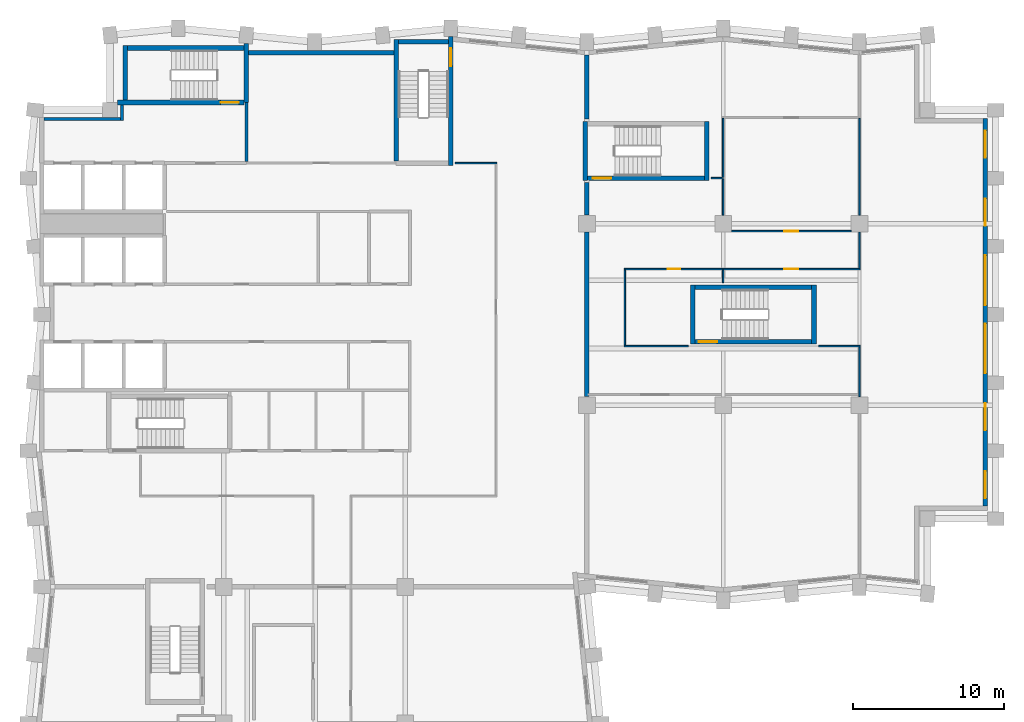
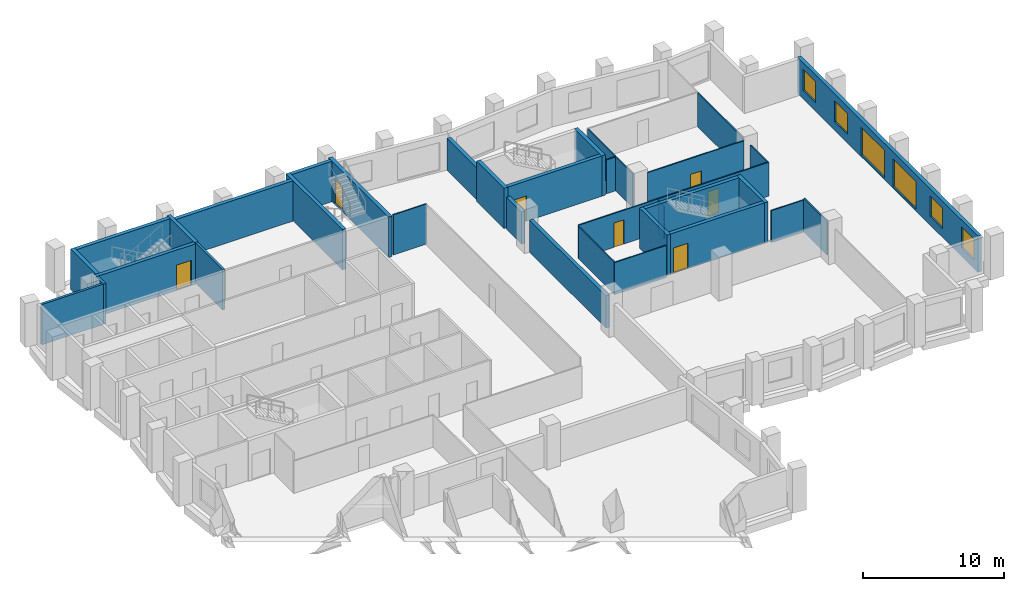
# One storey, part 6 of 10: 36 walls, 7 doors, 6 windows, 13 openings.
"""IFC4 building model written with IfcOpenShell, lengths in metres."""

from ifc_helpers import new_model, si_unit, direction, frame, frame_2d, origin, place, context, subcontext, project, spatial, rectangle, extrude, material, layer, layer_set, type_object, element, fill, save


model = new_model("IFC4")

# Units and contexts
model_context = context("Model", 3, precision=1e-05, world=origin(), true_north=direction((0.0, 1.0)))
body_context = subcontext(model_context, "Body", "Model", "MODEL_VIEW")
ifc_project = project(units=[si_unit("LENGTHUNIT", "METRE"), si_unit("AREAUNIT", "SQUARE_METRE"), si_unit("VOLUMEUNIT", "CUBIC_METRE"), si_unit("PLANEANGLEUNIT", "RADIAN"), si_unit("MASSUNIT", "GRAM", prefix="KILO")], contexts=[model_context])

# Site, building, storey
site_placement = place(None, origin())
site = spatial("IfcSite", under=ifc_project, at=site_placement, CompositionType="ELEMENT")
building_placement = place(site_placement, origin())
building = spatial("IfcBuilding", under=site, at=building_placement, Name="Brondeck Convention Tower", CompositionType="ELEMENT")
storey_placement = place(building_placement, frame((0.0, 0.0, 181.39990234375)))
storey = spatial("IfcBuildingStorey", under=building, at=storey_placement, Name="L44", CompositionType="ELEMENT", Elevation=181.39990234375)

# Walls
ifc_material_1 = material(Name="Concrete compartment wall C30/37", Category="concrete")
ifc_layer_1 = layer(ifc_material_1, 0.300048828125)
ifc_layer_set_1 = layer_set([ifc_layer_1], Name="Compartment wall 300")
wall_type_1 = type_object("IfcWallType", Name="Compartment wall 300", PredefinedType="PARTITIONING", material=ifc_layer_set_1)
wall_1_placement = place(storey_placement, frame((36.0, 39.570068359375, 0.0), z_axis=(0.0, 0.0, 1.0), x_axis=(0.0, 1.0, 0.0)))
element("IfcWall", 1, at=wall_1_placement, inside=storey, type_object=wall_type_1, Name="FLR-L44-W032", PredefinedType="PARTITIONING", context=body_context, shape_type="SweptSolid", body=[
    extrude(rectangle(XDim=10.875, YDim=0.300048828125, at=frame_2d((5.4375, 0.0))), origin(), (0.0, 0.0, 1.0), 2.780029296875),
])
wall_2_placement = place(storey_placement, frame((36.0, 51.554931640625, 0.0), z_axis=(0.0, 0.0, 1.0), x_axis=(0.0, 1.0, 0.0)))
element("IfcWall", 2, at=wall_2_placement, inside=storey, type_object=wall_type_1, Name="FLR-L44-W042", PredefinedType="PARTITIONING", context=body_context, shape_type="SweptSolid", body=[
    extrude(rectangle(XDim=2.14501953125, YDim=0.300048828125, at=frame_2d((1.072509765625, 0.0))), origin(), (0.0, 0.0, 1.0), 2.780029296875),
])
wall_3_placement = place(storey_placement, frame((36.0, 57.89990234375, 0.0), z_axis=(0.0, 0.0, 1.0), x_axis=(0.0, 1.0, 0.0)))
element("IfcWall", 3, at=wall_3_placement, inside=storey, type_object=wall_type_1, Name="FLR-L44-W049", PredefinedType="PARTITIONING", context=body_context, shape_type="SweptSolid", body=[
    extrude(rectangle(XDim=4.22607421875, YDim=0.300048828125, at=frame_2d((2.113037109375, 0.0))), origin(), (0.0, 0.0, 1.0), 2.780029296875),
])
ifc_material_2 = material(Name="Concrete C70/85", Category="concrete")
ifc_layer_2 = layer(ifc_material_2, 0.300048828125)
ifc_layer_set_2 = layer_set([ifc_layer_2], Name="Core outer wall 300 Concrete C70/85")
wall_type_2 = type_object("IfcWallType", Name="Core outer wall 300 Concrete C70/85", PredefinedType="SHEAR", material=ifc_layer_set_2)
wall_4_placement = place(storey_placement, frame((13.64990234375, 62.300048828125, 0.0), z_axis=(0.0, 0.0, 1.0), x_axis=(1.0, 0.0, 0.0)))
element("IfcWall", 4, at=wall_4_placement, inside=storey, type_object=wall_type_2, Name="L44 core wall", PredefinedType="SHEAR", context=body_context, shape_type="SweptSolid", body=[
    extrude(rectangle(XDim=9.60009765625, YDim=0.300048828125, at=frame_2d((4.800048828125, 0.0))), origin(), (0.0, 0.0, 1.0), 3.5),
])

# Wall, openings, windows
ifc_material_3 = material(Name="Precast concrete C50/60 bronze finish", Category="concrete")
ifc_layer_3 = layer(ifc_material_3, 0.070068359375, Name="Bronze precast facing")
ifc_material_4 = material(Name="Mineral wool")
ifc_layer_4 = layer(ifc_material_4, 0.159912109375, Name="Insulation")
ifc_material_5 = material(Name="Concrete C35/45", Category="concrete")
ifc_layer_5 = layer(ifc_material_5, 0.070068359375, Name="Backing")
ifc_layer_set_3 = layer_set([ifc_layer_3, ifc_layer_4, ifc_layer_5], Name="External infill wall, precast concrete C50/60 bronze facing")
wall_type_3 = type_object("IfcWallType", Name="External infill wall, precast concrete C50/60 bronze facing", PredefinedType="SOLIDWALL", material=ifc_layer_set_3)
wall_5_placement = place(storey_placement, frame((62.300048828125, 57.949951171875, 0.0), z_axis=(0.0, 0.0, 1.0), x_axis=(0.0, -1.0, 0.0)))
wall_5 = element("IfcWall", 5, at=wall_5_placement, inside=storey, type_object=wall_type_3, Name="ENV-EW-L44-P1-A-E63-01", PredefinedType="SOLIDWALL", context=body_context, shape_type="SweptSolid", body=[
    extrude(rectangle(XDim=25.60205078125, YDim=0.300048828125, at=frame_2d((12.801025390625, 0.0))), origin(), (0.0, 0.0, 1.0), 3.150146484375),
])
opening_1_placement = place(wall_5_placement, frame((0.800048828125, 0.0, 0.75)))
opening_1 = element("IfcOpeningElement", 6, at=opening_1_placement, cuts=wall_5, Name="Opening W10", PredefinedType="OPENING", context=body_context, shape_type="SweptSolid", body=[
    extrude(rectangle(XDim=1.800048828125, YDim=1.800048828125, at=frame_2d((0.89990234375, 0.89990234375))), frame((0.0, 0.159912109375, 0.0), z_axis=(0.0, -1.0, 0.0), x_axis=(1.0, 0.0, 0.0)), (0.0, 0.0, 1.0), 0.320068359375),
])
opening_2_placement = place(wall_5_placement, frame((5.300048828125, 0.0, 0.75)))
opening_2 = element("IfcOpeningElement", 7, at=opening_2_placement, cuts=wall_5, Name="Opening W10", PredefinedType="OPENING", context=body_context, shape_type="SweptSolid", body=[
    extrude(rectangle(XDim=1.800048828125, YDim=1.800048828125, at=frame_2d((0.89990234375, 0.89990234375))), frame((0.0, 0.159912109375, 0.0), z_axis=(0.0, -1.0, 0.0), x_axis=(1.0, 0.0, 0.0)), (0.0, 0.0, 1.0), 0.320068359375),
])
opening_3_placement = place(wall_5_placement, frame((9.050048828125, 0.0, 0.14990234375)))
opening_3 = element("IfcOpeningElement", 8, at=opening_3_placement, cuts=wall_5, Name="Opening W9", PredefinedType="OPENING", context=body_context, shape_type="SweptSolid", body=[
    extrude(rectangle(XDim=3.300048828125, YDim=2.39990234375, at=frame_2d((1.64990234375, 1.199951171875))), frame((0.0, 0.159912109375, 0.0), z_axis=(0.0, -1.0, 0.0), x_axis=(1.0, 0.0, 0.0)), (0.0, 0.0, 1.0), 0.320068359375),
])
opening_4_placement = place(wall_5_placement, frame((13.550048828125, 0.0, 0.14990234375)))
opening_4 = element("IfcOpeningElement", 9, at=opening_4_placement, cuts=wall_5, Name="Opening W9", PredefinedType="OPENING", context=body_context, shape_type="SweptSolid", body=[
    extrude(rectangle(XDim=3.300048828125, YDim=2.39990234375, at=frame_2d((1.64990234375, 1.199951171875))), frame((0.0, 0.159912109375, 0.0), z_axis=(0.0, -1.0, 0.0), x_axis=(1.0, 0.0, 0.0)), (0.0, 0.0, 1.0), 0.320068359375),
])
opening_5_placement = place(wall_5_placement, frame((18.800048828125, 0.0, 0.75)))
opening_5 = element("IfcOpeningElement", 10, at=opening_5_placement, cuts=wall_5, Name="Opening W10", PredefinedType="OPENING", context=body_context, shape_type="SweptSolid", body=[
    extrude(rectangle(XDim=1.800048828125, YDim=1.800048828125, at=frame_2d((0.89990234375, 0.89990234375))), frame((0.0, 0.159912109375, 0.0), z_axis=(0.0, -1.0, 0.0), x_axis=(1.0, 0.0, 0.0)), (0.0, 0.0, 1.0), 0.320068359375),
])
opening_6_placement = place(wall_5_placement, frame((23.300048828125, 0.0, 0.75)))
opening_6 = element("IfcOpeningElement", 11, at=opening_6_placement, cuts=wall_5, Name="Opening W10", PredefinedType="OPENING", context=body_context, shape_type="SweptSolid", body=[
    extrude(rectangle(XDim=1.800048828125, YDim=1.800048828125, at=frame_2d((0.89990234375, 0.89990234375))), frame((0.0, 0.159912109375, 0.0), z_axis=(0.0, -1.0, 0.0), x_axis=(1.0, 0.0, 0.0)), (0.0, 0.0, 1.0), 0.320068359375),
])
ifc_material_6 = material(Name="Bronze tinted double glazing", Category="glass")
window_type_1 = type_object("IfcWindowType", Name="Glazed flute window, bronze tinted", PartitioningType="SINGLE_PANEL", PredefinedType="WINDOW", material=ifc_material_6)
window_1_placement = place(opening_3_placement, origin())
window_1 = element("IfcWindow", 12, at=window_1_placement, inside=storey, type_object=window_type_1, Name="ENV-WN-L44-P1-A-E63-04", OverallHeight=2.39990234375, OverallWidth=3.300048828125, PartitioningType="SINGLE_PANEL", PredefinedType="WINDOW", context=body_context, shape_type="SweptSolid", body=[
    extrude(rectangle(XDim=3.300048828125, YDim=2.39990234375, at=frame_2d((1.64990234375, 1.199951171875))), frame((0.0, 0.030029296875, 0.0), z_axis=(0.0, -1.0, 0.0), x_axis=(1.0, 0.0, 0.0)), (0.0, 0.0, 1.0), 0.06005859375),
])
fill(opening_3, window_1)
window_2_placement = place(opening_4_placement, origin())
window_2 = element("IfcWindow", 13, at=window_2_placement, inside=storey, type_object=window_type_1, Name="ENV-WN-L44-P1-A-E63-03", OverallHeight=2.39990234375, OverallWidth=3.300048828125, PartitioningType="SINGLE_PANEL", PredefinedType="WINDOW", context=body_context, shape_type="SweptSolid", body=[
    extrude(rectangle(XDim=3.300048828125, YDim=2.39990234375, at=frame_2d((1.64990234375, 1.199951171875))), frame((0.0, 0.030029296875, 0.0), z_axis=(0.0, -1.0, 0.0), x_axis=(1.0, 0.0, 0.0)), (0.0, 0.0, 1.0), 0.06005859375),
])
fill(opening_4, window_2)
window_type_2 = type_object("IfcWindowType", Name="Punched window, bronze tinted", PartitioningType="SINGLE_PANEL", PredefinedType="WINDOW", material=ifc_material_6)
window_3_placement = place(opening_1_placement, origin())
window_3 = element("IfcWindow", 14, at=window_3_placement, inside=storey, type_object=window_type_2, Name="ENV-WN-L44-P1-A-E63-06", OverallHeight=1.800048828125, OverallWidth=1.800048828125, PartitioningType="SINGLE_PANEL", PredefinedType="WINDOW", context=body_context, shape_type="SweptSolid", body=[
    extrude(rectangle(XDim=1.800048828125, YDim=1.800048828125, at=frame_2d((0.89990234375, 0.89990234375))), frame((0.0, 0.030029296875, 0.0), z_axis=(0.0, -1.0, 0.0), x_axis=(1.0, 0.0, 0.0)), (0.0, 0.0, 1.0), 0.06005859375),
])
fill(opening_1, window_3)
window_4_placement = place(opening_2_placement, origin())
window_4 = element("IfcWindow", 15, at=window_4_placement, inside=storey, type_object=window_type_2, Name="ENV-WN-L44-P1-A-E63-05", OverallHeight=1.800048828125, OverallWidth=1.800048828125, PartitioningType="SINGLE_PANEL", PredefinedType="WINDOW", context=body_context, shape_type="SweptSolid", body=[
    extrude(rectangle(XDim=1.800048828125, YDim=1.800048828125, at=frame_2d((0.89990234375, 0.89990234375))), frame((0.0, 0.030029296875, 0.0), z_axis=(0.0, -1.0, 0.0), x_axis=(1.0, 0.0, 0.0)), (0.0, 0.0, 1.0), 0.06005859375),
])
fill(opening_2, window_4)
window_5_placement = place(opening_5_placement, origin())
window_5 = element("IfcWindow", 16, at=window_5_placement, inside=storey, type_object=window_type_2, Name="ENV-WN-L44-P1-A-E63-02", OverallHeight=1.800048828125, OverallWidth=1.800048828125, PartitioningType="SINGLE_PANEL", PredefinedType="WINDOW", context=body_context, shape_type="SweptSolid", body=[
    extrude(rectangle(XDim=1.800048828125, YDim=1.800048828125, at=frame_2d((0.89990234375, 0.89990234375))), frame((0.0, 0.030029296875, 0.0), z_axis=(0.0, -1.0, 0.0), x_axis=(1.0, 0.0, 0.0)), (0.0, 0.0, 1.0), 0.06005859375),
])
fill(opening_5, window_5)
window_6_placement = place(opening_6_placement, origin())
window_6 = element("IfcWindow", 17, at=window_6_placement, inside=storey, type_object=window_type_2, Name="ENV-WN-L44-P1-A-E63-01", OverallHeight=1.800048828125, OverallWidth=1.800048828125, PartitioningType="SINGLE_PANEL", PredefinedType="WINDOW", context=body_context, shape_type="SweptSolid", body=[
    extrude(rectangle(XDim=1.800048828125, YDim=1.800048828125, at=frame_2d((0.89990234375, 0.89990234375))), frame((0.0, 0.030029296875, 0.0), z_axis=(0.0, -1.0, 0.0), x_axis=(1.0, 0.0, 0.0)), (0.0, 0.0, 1.0), 0.06005859375),
])
fill(opening_6, window_6)

# Walls
ifc_material_7 = material(Name="Fire-rated gypsum board partition")
ifc_layer_6 = layer(ifc_material_7, 0.199951171875)
ifc_layer_set_4 = layer_set([ifc_layer_6], Name="Firefighting lobby wall 200 EI 120")
wall_type_4 = type_object("IfcWallType", Name="Firefighting lobby wall 200 EI 120", PredefinedType="PARTITIONING", material=ifc_layer_set_4)
wall_6_placement = place(storey_placement, frame((0.14990234375, 57.89990234375, 0.0), z_axis=(0.0, 0.0, 1.0), x_axis=(1.0, 0.0, 0.0)))
element("IfcWall", 18, at=wall_6_placement, inside=storey, type_object=wall_type_4, Name="L44 core wall", PredefinedType="PARTITIONING", context=body_context, shape_type="SweptSolid", body=[
    extrude(rectangle(XDim=5.050048828125, YDim=0.199951171875, at=frame_2d((2.52490234375, 0.0))), origin(), (0.0, 0.0, 1.0), 3.5),
])
wall_7_placement = place(storey_placement, frame((5.300048828125, 57.800048828125, 0.0), z_axis=(0.0, 0.0, 1.0), x_axis=(0.0, 1.0, 0.0)))
element("IfcWall", 19, at=wall_7_placement, inside=storey, type_object=wall_type_4, Name="L44 core wall", PredefinedType="PARTITIONING", context=body_context, shape_type="SweptSolid", body=[
    extrude(rectangle(XDim=1.050048828125, YDim=0.199951171875, at=frame_2d((0.52490234375, 0.0))), origin(), (0.0, 0.0, 1.0), 3.5),
])
wall_8_placement = place(storey_placement, frame((13.5, 55.10009765625, 0.0), z_axis=(0.0, 0.0, 1.0), x_axis=(0.0, 1.0, 0.0)))
element("IfcWall", 20, at=wall_8_placement, inside=storey, type_object=wall_type_4, Name="L44 core wall", PredefinedType="PARTITIONING", context=body_context, shape_type="SweptSolid", body=[
    extrude(rectangle(XDim=3.89990234375, YDim=0.199951171875, at=frame_2d((1.949951171875, 0.0))), origin(), (0.0, 0.0, 1.0), 3.5),
])
ifc_material_8 = material(Name="Gypsum board partition on steel studs", Category="steel")
ifc_layer_7 = layer(ifc_material_8, 0.10009765625)
ifc_layer_set_5 = layer_set([ifc_layer_7], Name="Room partition 100")
wall_type_5 = type_object("IfcWallType", Name="Room partition 100", PredefinedType="PARTITIONING", material=ifc_layer_set_5)
wall_9_placement = place(storey_placement, frame((54.0, 42.85009765625, 0.0), z_axis=(0.0, 0.0, 1.0), x_axis=(0.0, -1.0, 0.0)))
element("IfcWall", 21, at=wall_9_placement, inside=storey, type_object=wall_type_5, Name="FLR-L44-W033", PredefinedType="PARTITIONING", context=body_context, shape_type="SweptSolid", body=[
    extrude(rectangle(XDim=3.280029296875, YDim=0.10009765625, at=frame_2d((1.64013671875, 0.0))), origin(), (0.0, 0.0, 1.0), 2.93017578125),
])
wall_10_placement = place(storey_placement, frame((38.449951171875, 42.89990234375, 0.0), z_axis=(0.0, 0.0, 1.0), x_axis=(1.0, 0.0, 0.0)))
element("IfcWall", 22, at=wall_10_placement, inside=storey, type_object=wall_type_5, Name="FLR-L44-W034", PredefinedType="PARTITIONING", context=body_context, shape_type="SweptSolid", body=[
    extrude(rectangle(XDim=4.25, YDim=0.10009765625, at=frame_2d((2.125, 0.0))), origin(), (0.0, 0.0, 1.0), 2.780029296875),
])
wall_11_placement = place(storey_placement, frame((51.300048828125, 42.89990234375, 0.0), z_axis=(0.0, 0.0, 1.0), x_axis=(1.0, 0.0, 0.0)))
element("IfcWall", 23, at=wall_11_placement, inside=storey, type_object=wall_type_5, Name="FLR-L44-W035", PredefinedType="PARTITIONING", context=body_context, shape_type="SweptSolid", body=[
    extrude(rectangle(XDim=2.75, YDim=0.10009765625, at=frame_2d((1.375, 0.0))), origin(), (0.0, 0.0, 1.0), 2.780029296875),
])
wall_12_placement = place(storey_placement, frame((38.5, 47.949951171875, 0.0), z_axis=(0.0, 0.0, 1.0), x_axis=(0.0, -1.0, 0.0)))
element("IfcWall", 24, at=wall_12_placement, inside=storey, type_object=wall_type_5, Name="FLR-L44-W036", PredefinedType="PARTITIONING", context=body_context, shape_type="SweptSolid", body=[
    extrude(rectangle(XDim=5.0, YDim=0.10009765625, at=frame_2d((2.5, 0.0))), origin(), (0.0, 0.0, 1.0), 2.780029296875),
])
wall_13_placement = place(storey_placement, frame((45.0, 47.949951171875, 0.0), z_axis=(0.0, 0.0, 1.0), x_axis=(0.0, -1.0, 0.0)))
element("IfcWall", 25, at=wall_13_placement, inside=storey, type_object=wall_type_5, Name="FLR-L44-W037", PredefinedType="PARTITIONING", context=body_context, shape_type="SweptSolid", body=[
    extrude(rectangle(XDim=0.849853515625, YDim=0.10009765625, at=frame_2d((0.4248046875, 0.0))), origin(), (0.0, 0.0, 1.0), 2.780029296875),
])

# Wall, opening, door
wall_14_placement = place(storey_placement, frame((45.0, 48.0, 0.0), z_axis=(0.0, 0.0, 1.0), x_axis=(-1.0, 0.0, 0.0)))
wall_14 = element("IfcWall", 26, at=wall_14_placement, inside=storey, type_object=wall_type_5, Name="FLR-L44-W038", PredefinedType="PARTITIONING", context=body_context, shape_type="SweptSolid", body=[
    extrude(rectangle(XDim=6.550048828125, YDim=0.10009765625, at=frame_2d((3.27490234375, 0.0))), origin(), (0.0, 0.0, 1.0), 2.93017578125),
])
opening_7_placement = place(wall_14_placement, frame((2.85009765625, 0.0, 0.0)))
opening_7 = element("IfcOpeningElement", 27, at=opening_7_placement, cuts=wall_14, Name="Opening OF-I-002", PredefinedType="OPENING", context=body_context, shape_type="SweptSolid", body=[
    extrude(rectangle(XDim=0.800048828125, YDim=2.10009765625, at=frame_2d((0.39990234375, 1.050048828125))), frame((0.0, 0.06005859375, 0.0), z_axis=(0.0, -1.0, 0.0), x_axis=(1.0, 0.0, 0.0)), (0.0, 0.0, 1.0), 0.1201171875),
])
ifc_material_9 = material(Name="Steel service door leaf", Category="steel")
door_type_1 = type_object("IfcDoorType", Name="Service door 800", OperationType="NOTDEFINED", PredefinedType="DOOR", material=ifc_material_9)
door_1_placement = place(opening_7_placement, origin())
door_1 = element("IfcDoor", 28, at=door_1_placement, inside=storey, type_object=door_type_1, Name="Door OF-I-002", OperationType="SINGLE_SWING_RIGHT", OverallHeight=2.10009765625, OverallWidth=0.800048828125, PredefinedType="DOOR", context=body_context, shape_type="SweptSolid", body=[
    extrude(rectangle(XDim=0.800048828125, YDim=2.10009765625, at=frame_2d((0.39990234375, 1.050048828125))), frame((0.0, 0.02490234375, 0.0), z_axis=(0.0, -1.0, 0.0), x_axis=(1.0, 0.0, 0.0)), (0.0, 0.0, 1.0), 0.050048828125),
])
fill(opening_7, door_1)

wall_15_placement = place(storey_placement, frame((54.050048828125, 48.0, 0.0), z_axis=(0.0, 0.0, 1.0), x_axis=(-1.0, 0.0, 0.0)))
wall_15 = element("IfcWall", 29, at=wall_15_placement, inside=storey, type_object=wall_type_5, Name="FLR-L44-W039", PredefinedType="PARTITIONING", context=body_context, shape_type="SweptSolid", body=[
    extrude(rectangle(XDim=9.050048828125, YDim=0.10009765625, at=frame_2d((4.52490234375, 0.0))), origin(), (0.0, 0.0, 1.0), 2.93017578125),
])
opening_8_placement = place(wall_15_placement, frame((4.10009765625, 0.0, 0.0)))
opening_8 = element("IfcOpeningElement", 30, at=opening_8_placement, cuts=wall_15, Name="Opening OF-I-005", PredefinedType="OPENING", context=body_context, shape_type="SweptSolid", body=[
    extrude(rectangle(XDim=0.89990234375, YDim=2.10009765625, at=frame_2d((0.449951171875, 1.050048828125))), frame((0.0, 0.06005859375, 0.0), z_axis=(0.0, -1.0, 0.0), x_axis=(1.0, 0.0, 0.0)), (0.0, 0.0, 1.0), 0.1201171875),
])
ifc_material_10 = material(Name="Solid timber door leaf", Category="wood")
door_type_2 = type_object("IfcDoorType", Name="Single door 900", OperationType="NOTDEFINED", PredefinedType="DOOR", material=ifc_material_10)
door_2_placement = place(opening_8_placement, origin())
door_2 = element("IfcDoor", 31, at=door_2_placement, inside=storey, type_object=door_type_2, Name="Door OF-I-005", OperationType="SINGLE_SWING_RIGHT", OverallHeight=2.10009765625, OverallWidth=0.89990234375, PredefinedType="DOOR", context=body_context, shape_type="SweptSolid", body=[
    extrude(rectangle(XDim=0.89990234375, YDim=2.10009765625, at=frame_2d((0.449951171875, 1.050048828125))), frame((0.0, 0.02490234375, 0.0), z_axis=(0.0, -1.0, 0.0), x_axis=(1.0, 0.0, 0.0)), (0.0, 0.0, 1.0), 0.050048828125),
])
fill(opening_8, door_2)

# Wall
wall_16_placement = place(storey_placement, frame((54.0, 50.445068359375, 0.0), z_axis=(0.0, 0.0, 1.0), x_axis=(0.0, -1.0, 0.0)))
element("IfcWall", 32, at=wall_16_placement, inside=storey, type_object=wall_type_5, Name="FLR-L44-W040", PredefinedType="PARTITIONING", context=body_context, shape_type="SweptSolid", body=[
    extrude(rectangle(XDim=2.39501953125, YDim=0.10009765625, at=frame_2d((1.197509765625, 0.0))), origin(), (0.0, 0.0, 1.0), 2.93017578125),
])

# Wall, opening, door
wall_17_placement = place(storey_placement, frame((45.554931640625, 50.5, 0.0), z_axis=(0.0, 0.0, 1.0), x_axis=(1.0, 0.0, 0.0)))
wall_17 = element("IfcWall", 33, at=wall_17_placement, inside=storey, type_object=wall_type_5, Name="FLR-L44-W041", PredefinedType="PARTITIONING", context=body_context, shape_type="SweptSolid", body=[
    extrude(rectangle(XDim=7.89013671875, YDim=0.10009765625, at=frame_2d((3.945068359375, 0.0))), origin(), (0.0, 0.0, 1.0), 3.47998046875),
])
opening_9_placement = place(wall_17_placement, frame((3.4951171875, 0.0, 0.0)))
opening_9 = element("IfcOpeningElement", 34, at=opening_9_placement, cuts=wall_17, Name="Opening OF-I-007", PredefinedType="OPENING", context=body_context, shape_type="SweptSolid", body=[
    extrude(rectangle(XDim=0.89990234375, YDim=2.10009765625, at=frame_2d((0.449951171875, 1.050048828125))), frame((0.0, 0.06005859375, 0.0), z_axis=(0.0, -1.0, 0.0), x_axis=(1.0, 0.0, 0.0)), (0.0, 0.0, 1.0), 0.1201171875),
])
door_3_placement = place(opening_9_placement, origin())
door_3 = element("IfcDoor", 35, at=door_3_placement, inside=storey, type_object=door_type_2, Name="Door OF-I-007", OperationType="SINGLE_SWING_LEFT", OverallHeight=2.10009765625, OverallWidth=0.89990234375, PredefinedType="DOOR", context=body_context, shape_type="SweptSolid", body=[
    extrude(rectangle(XDim=0.89990234375, YDim=2.10009765625, at=frame_2d((0.449951171875, 1.050048828125))), frame((0.0, 0.02490234375, 0.0), z_axis=(0.0, -1.0, 0.0), x_axis=(1.0, 0.0, 0.0)), (0.0, 0.0, 1.0), 0.050048828125),
])
fill(opening_9, door_3)

# Walls
wall_18_placement = place(storey_placement, frame((54.0, 51.554931640625, 0.0), z_axis=(0.0, 0.0, 1.0), x_axis=(0.0, 1.0, 0.0)))
element("IfcWall", 36, at=wall_18_placement, inside=storey, type_object=wall_type_5, Name="FLR-L44-W043", PredefinedType="PARTITIONING", context=body_context, shape_type="SweptSolid", body=[
    extrude(rectangle(XDim=6.39501953125, YDim=0.10009765625, at=frame_2d((3.197509765625, 0.0))), origin(), (0.0, 0.0, 1.0), 2.93017578125),
])
wall_19_placement = place(storey_placement, frame((45.0, 53.949951171875, 0.0), z_axis=(0.0, 0.0, 1.0), x_axis=(0.0, -1.0, 0.0)))
element("IfcWall", 37, at=wall_19_placement, inside=storey, type_object=wall_type_5, Name="FLR-L44-W044", PredefinedType="PARTITIONING", context=body_context, shape_type="SweptSolid", body=[
    extrude(rectangle(XDim=2.39501953125, YDim=0.10009765625, at=frame_2d((1.197509765625, 0.0))), origin(), (0.0, 0.0, 1.0), 2.93017578125),
])
wall_20_placement = place(storey_placement, frame((44.199951171875, 54.0, 0.0), z_axis=(0.0, 0.0, 1.0), x_axis=(1.0, 0.0, 0.0)))
element("IfcWall", 38, at=wall_20_placement, inside=storey, type_object=wall_type_5, Name="FLR-L44-W045", PredefinedType="PARTITIONING", context=body_context, shape_type="SweptSolid", body=[
    extrude(rectangle(XDim=0.75, YDim=0.10009765625, at=frame_2d((0.375, 0.0))), origin(), (0.0, 0.0, 1.0), 2.93017578125),
])
wall_21_placement = place(storey_placement, frame((45.0, 54.050048828125, 0.0), z_axis=(0.0, 0.0, 1.0), x_axis=(0.0, 1.0, 0.0)))
element("IfcWall", 39, at=wall_21_placement, inside=storey, type_object=wall_type_5, Name="FLR-L44-W046", PredefinedType="PARTITIONING", context=body_context, shape_type="SweptSolid", body=[
    extrude(rectangle(XDim=3.89990234375, YDim=0.10009765625, at=frame_2d((1.949951171875, 0.0))), origin(), (0.0, 0.0, 1.0), 2.93017578125),
])
wall_22_placement = place(storey_placement, frame((27.300048828125, 55.0, 0.0), z_axis=(0.0, 0.0, 1.0), x_axis=(1.0, 0.0, 0.0)))
element("IfcWall", 40, at=wall_22_placement, inside=storey, type_object=wall_type_5, Name="FLR-L44-W048", PredefinedType="PARTITIONING", context=body_context, shape_type="SweptSolid", body=[
    extrude(rectangle(XDim=2.75, YDim=0.10009765625, at=frame_2d((1.375, 0.0))), origin(), (0.0, 0.0, 1.0), 3.47998046875),
])

# Wall, opening, door
ifc_layer_8 = layer(ifc_material_2, 0.300048828125)
ifc_layer_set_6 = layer_set([ifc_layer_8], Name="Stair enclosure wall 300 Concrete C70/85")
wall_type_6 = type_object("IfcWallType", Name="Stair enclosure wall 300 Concrete C70/85", PredefinedType="SHEAR", material=ifc_layer_set_6)
wall_23_placement = place(storey_placement, frame((43.14990234375, 43.199951171875, 0.0), z_axis=(0.0, 0.0, 1.0), x_axis=(1.0, 0.0, 0.0)))
wall_23 = element("IfcWall", 41, at=wall_23_placement, inside=storey, type_object=wall_type_6, Name="L44 core wall", PredefinedType="SHEAR", context=body_context, shape_type="SweptSolid", body=[
    extrude(rectangle(XDim=7.7001953125, YDim=0.300048828125, at=frame_2d((3.85009765625, 0.0))), origin(), (0.0, 0.0, 1.0), 3.5),
])
opening_10_placement = place(wall_23_placement, frame((0.25, 0.0, 0.0)))
opening_10 = element("IfcOpeningElement", 42, at=opening_10_placement, cuts=wall_23, Name="Opening C24-17", PredefinedType="OPENING", context=body_context, shape_type="SweptSolid", body=[
    extrude(rectangle(XDim=1.199951171875, YDim=2.199951171875, at=frame_2d((0.60009765625, 1.10009765625))), frame((0.0, 0.159912109375, 0.0), z_axis=(0.0, -1.0, 0.0), x_axis=(1.0, 0.0, 0.0)), (0.0, 0.0, 1.0), 0.320068359375),
])
ifc_material_11 = material(Name="Steel fire door", Category="steel")
door_type_3 = type_object("IfcDoorType", Name="Stair door 1200x2200 EI 90", OperationType="NOTDEFINED", PredefinedType="DOOR", material=ifc_material_11)
door_4_placement = place(opening_10_placement, origin())
door_4 = element("IfcDoor", 43, at=door_4_placement, inside=storey, type_object=door_type_3, Name="L44 Stair door ST-AF", OperationType="SINGLE_SWING_RIGHT", OverallHeight=2.199951171875, OverallWidth=1.199951171875, PredefinedType="DOOR", context=body_context, shape_type="SweptSolid", body=[
    extrude(rectangle(XDim=1.199951171875, YDim=2.199951171875, at=frame_2d((0.60009765625, 1.10009765625))), frame((0.0, 0.02490234375, 0.0), z_axis=(0.0, -1.0, 0.0), x_axis=(1.0, 0.0, 0.0)), (0.0, 0.0, 1.0), 0.050048828125),
])
fill(opening_10, door_4)

# Wall
wall_24_placement = place(storey_placement, frame((43.14990234375, 46.800048828125, 0.0), z_axis=(0.0, 0.0, 1.0), x_axis=(1.0, 0.0, 0.0)))
element("IfcWall", 44, at=wall_24_placement, inside=storey, type_object=wall_type_6, Name="L44 core wall", PredefinedType="SHEAR", context=body_context, shape_type="SweptSolid", body=[
    extrude(rectangle(XDim=7.7001953125, YDim=0.300048828125, at=frame_2d((3.85009765625, 0.0))), origin(), (0.0, 0.0, 1.0), 3.5),
])

# Wall, opening, door
wall_25_placement = place(storey_placement, frame((36.050048828125, 54.0, 0.0), z_axis=(0.0, 0.0, 1.0), x_axis=(1.0, 0.0, 0.0)))
wall_25 = element("IfcWall", 45, at=wall_25_placement, inside=storey, type_object=wall_type_6, Name="L44 core wall", PredefinedType="SHEAR", context=body_context, shape_type="SweptSolid", body=[
    extrude(rectangle(XDim=7.699951171875, YDim=0.300048828125, at=frame_2d((3.85009765625, 0.0))), origin(), (0.0, 0.0, 1.0), 3.5),
])
opening_11_placement = place(wall_25_placement, frame((0.35009765625, 0.0, 0.0)))
opening_11 = element("IfcOpeningElement", 46, at=opening_11_placement, cuts=wall_25, Name="Opening C24-16", PredefinedType="OPENING", context=body_context, shape_type="SweptSolid", body=[
    extrude(rectangle(XDim=1.199951171875, YDim=2.199951171875, at=frame_2d((0.60009765625, 1.10009765625))), frame((0.0, 0.159912109375, 0.0), z_axis=(0.0, -1.0, 0.0), x_axis=(1.0, 0.0, 0.0)), (0.0, 0.0, 1.0), 0.320068359375),
])
door_5_placement = place(opening_11_placement, origin())
door_5 = element("IfcDoor", 47, at=door_5_placement, inside=storey, type_object=door_type_3, Name="L44 Stair door ST-AE", OperationType="SINGLE_SWING_LEFT", OverallHeight=2.199951171875, OverallWidth=1.199951171875, PredefinedType="DOOR", context=body_context, shape_type="SweptSolid", body=[
    extrude(rectangle(XDim=1.199951171875, YDim=2.199951171875, at=frame_2d((0.60009765625, 1.10009765625))), frame((0.0, 0.02490234375, 0.0), z_axis=(0.0, -1.0, 0.0), x_axis=(1.0, 0.0, 0.0)), (0.0, 0.0, 1.0), 0.050048828125),
])
fill(opening_11, door_5)

wall_26_placement = place(storey_placement, frame((5.0, 59.0, 0.0), z_axis=(0.0, 0.0, 1.0), x_axis=(1.0, 0.0, 0.0)))
wall_26 = element("IfcWall", 48, at=wall_26_placement, inside=storey, type_object=wall_type_6, Name="L44 core wall", PredefinedType="SHEAR", context=body_context, shape_type="SweptSolid", body=[
    extrude(rectangle(XDim=8.35009765625, YDim=0.300048828125, at=frame_2d((4.175048828125, 0.0))), origin(), (0.0, 0.0, 1.0), 3.5),
])
opening_12_placement = place(wall_26_placement, frame((6.800048828125, 0.0, 0.0)))
opening_12 = element("IfcOpeningElement", 49, at=opening_12_placement, cuts=wall_26, Name="Opening C24-15", PredefinedType="OPENING", context=body_context, shape_type="SweptSolid", body=[
    extrude(rectangle(XDim=1.199951171875, YDim=2.199951171875, at=frame_2d((0.60009765625, 1.10009765625))), frame((0.0, 0.159912109375, 0.0), z_axis=(0.0, -1.0, 0.0), x_axis=(1.0, 0.0, 0.0)), (0.0, 0.0, 1.0), 0.320068359375),
])
door_type_4 = type_object("IfcDoorType", Name="Stair door 1200x2200 EI 120", OperationType="NOTDEFINED", PredefinedType="DOOR", material=ifc_material_11)
door_6_placement = place(opening_12_placement, origin())
door_6 = element("IfcDoor", 50, at=door_6_placement, inside=storey, type_object=door_type_4, Name="L44 Stair door ST-3", OperationType="SINGLE_SWING_RIGHT", OverallHeight=2.199951171875, OverallWidth=1.199951171875, PredefinedType="DOOR", context=body_context, shape_type="SweptSolid", body=[
    extrude(rectangle(XDim=1.199951171875, YDim=2.199951171875, at=frame_2d((0.60009765625, 1.10009765625))), frame((0.0, 0.02490234375, 0.0), z_axis=(0.0, -1.0, 0.0), x_axis=(1.0, 0.0, 0.0)), (0.0, 0.0, 1.0), 0.050048828125),
])
fill(opening_12, door_6)

# Walls
wall_27_placement = place(storey_placement, frame((5.64990234375, 62.60009765625, 0.0), z_axis=(0.0, 0.0, 1.0), x_axis=(1.0, 0.0, 0.0)))
element("IfcWall", 51, at=wall_27_placement, inside=storey, type_object=wall_type_6, Name="L44 core wall", PredefinedType="SHEAR", context=body_context, shape_type="SweptSolid", body=[
    extrude(rectangle(XDim=7.7001953125, YDim=0.300048828125, at=frame_2d((3.85009765625, 0.0))), origin(), (0.0, 0.0, 1.0), 3.5),
])
wall_28_placement = place(storey_placement, frame((23.550048828125, 63.0, 0.0), z_axis=(0.0, 0.0, 1.0), x_axis=(1.0, 0.0, 0.0)))
element("IfcWall", 52, at=wall_28_placement, inside=storey, type_object=wall_type_6, Name="L44 core wall", PredefinedType="SHEAR", context=body_context, shape_type="SweptSolid", body=[
    extrude(rectangle(XDim=3.300048828125, YDim=0.300048828125, at=frame_2d((1.64990234375, 0.0))), origin(), (0.0, 0.0, 1.0), 3.5),
])
wall_29_placement = place(storey_placement, frame((5.5, 59.14990234375, 0.0), z_axis=(0.0, 0.0, 1.0), x_axis=(0.0, 1.0, 0.0)))
element("IfcWall", 53, at=wall_29_placement, inside=storey, type_object=wall_type_6, Name="L44 core wall", PredefinedType="SHEAR", context=body_context, shape_type="SweptSolid", body=[
    extrude(rectangle(XDim=3.60009765625, YDim=0.300048828125, at=frame_2d((1.800048828125, 0.0))), origin(), (0.0, 0.0, 1.0), 3.5),
])
wall_30_placement = place(storey_placement, frame((13.5, 59.0, 0.0), z_axis=(0.0, 0.0, 1.0), x_axis=(0.0, 1.0, 0.0)))
element("IfcWall", 54, at=wall_30_placement, inside=storey, type_object=wall_type_6, Name="L44 core wall", PredefinedType="SHEAR", context=body_context, shape_type="SweptSolid", body=[
    extrude(rectangle(XDim=3.897216796875, YDim=0.300048828125, at=frame_2d((1.94873046875, 0.0))), origin(), (0.0, 0.0, 1.0), 3.5),
])
wall_31_placement = place(storey_placement, frame((23.39990234375, 55.14990234375, 0.0), z_axis=(0.0, 0.0, 1.0), x_axis=(0.0, 1.0, 0.0)))
element("IfcWall", 55, at=wall_31_placement, inside=storey, type_object=wall_type_6, Name="L44 core wall", PredefinedType="SHEAR", context=body_context, shape_type="SweptSolid", body=[
    extrude(rectangle(XDim=8.0, YDim=0.300048828125, at=frame_2d((4.0, 0.0))), origin(), (0.0, 0.0, 1.0), 3.5),
])

# Wall, opening, door
wall_32_placement = place(storey_placement, frame((27.0, 54.85009765625, 0.0), z_axis=(0.0, 0.0, 1.0), x_axis=(0.0, 1.0, 0.0)))
wall_32 = element("IfcWall", 56, at=wall_32_placement, inside=storey, type_object=wall_type_6, Name="L44 core wall", PredefinedType="SHEAR", context=body_context, shape_type="SweptSolid", body=[
    extrude(rectangle(XDim=8.5, YDim=0.300048828125, at=frame_2d((4.25, 0.0))), origin(), (0.0, 0.0, 1.0), 3.5),
])
opening_13_placement = place(wall_32_placement, frame((6.550048828125, 0.0, 0.0)))
opening_13 = element("IfcOpeningElement", 57, at=opening_13_placement, cuts=wall_32, Name="Opening C24-14", PredefinedType="OPENING", context=body_context, shape_type="SweptSolid", body=[
    extrude(rectangle(XDim=1.199951171875, YDim=2.199951171875, at=frame_2d((0.60009765625, 1.10009765625))), frame((0.0, 0.159912109375, 0.0), z_axis=(0.0, -1.0, 0.0), x_axis=(1.0, 0.0, 0.0)), (0.0, 0.0, 1.0), 0.320068359375),
])
door_7_placement = place(opening_13_placement, origin())
door_7 = element("IfcDoor", 58, at=door_7_placement, inside=storey, type_object=door_type_3, Name="L44 Stair door ST-2", OperationType="SINGLE_SWING_LEFT", OverallHeight=2.199951171875, OverallWidth=1.199951171875, PredefinedType="DOOR", context=body_context, shape_type="SweptSolid", body=[
    extrude(rectangle(XDim=1.199951171875, YDim=2.199951171875, at=frame_2d((0.60009765625, 1.10009765625))), frame((0.0, 0.02490234375, 0.0), z_axis=(0.0, -1.0, 0.0), x_axis=(1.0, 0.0, 0.0)), (0.0, 0.0, 1.0), 0.050048828125),
])
fill(opening_13, door_7)

# Walls
for number, where, z_axis, x_axis, name in (
    (59, (35.89990234375, 53.85009765625, 0.0), (0.0, 0.0, 1.0), (0.0, 1.0, 0.0), "L44 core wall"),
    (60, (43.0, 43.050048828125, 0.0), (0.0, 0.0, 1.0), (0.0, 1.0, 0.0), "L44 core wall"),
    (61, (43.89990234375, 53.85009765625, 0.0), (0.0, 0.0, 1.0), (0.0, 1.0, 0.0), "L44 core wall"),
    (62, (51.0, 43.050048828125, 0.0), (0.0, 0.0, 1.0), (0.0, 1.0, 0.0), "L44 core wall"),
):
    element("IfcWall", number, at=place(storey_placement, frame(where, z_axis=z_axis, x_axis=x_axis)), inside=storey, type_object=wall_type_6, Name=name, PredefinedType="SHEAR", context=body_context, shape_type="SweptSolid", body=[
        extrude(rectangle(XDim=3.89990234375, YDim=0.300048828125, at=frame_2d((1.949951171875, 0.0))), origin(), (0.0, 0.0, 1.0), 3.5),
    ])

save(model, "model.ifc")
